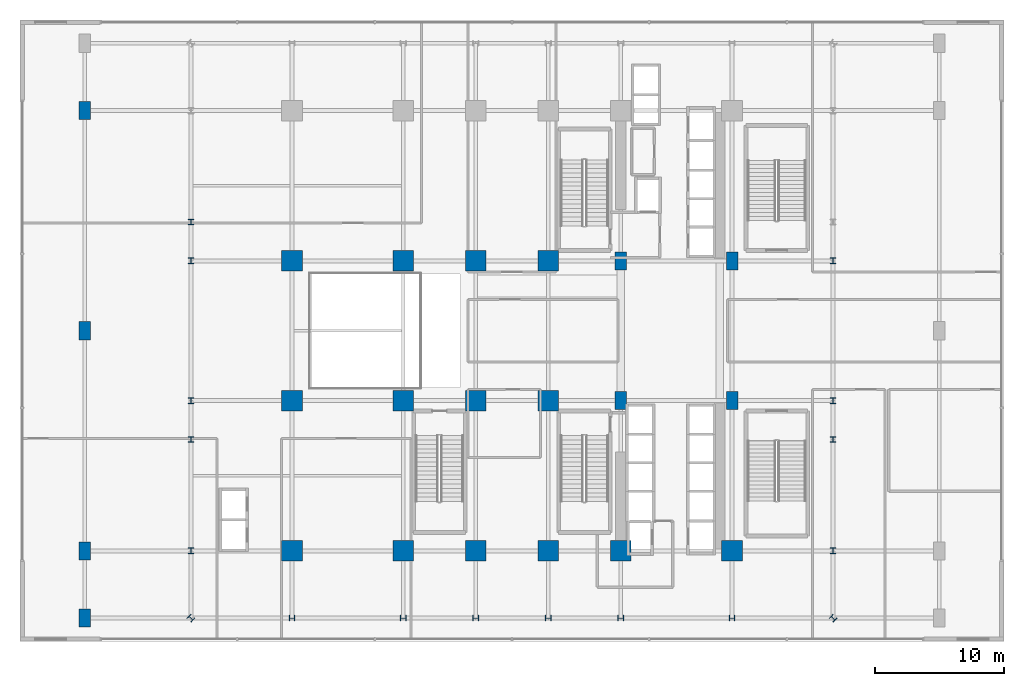
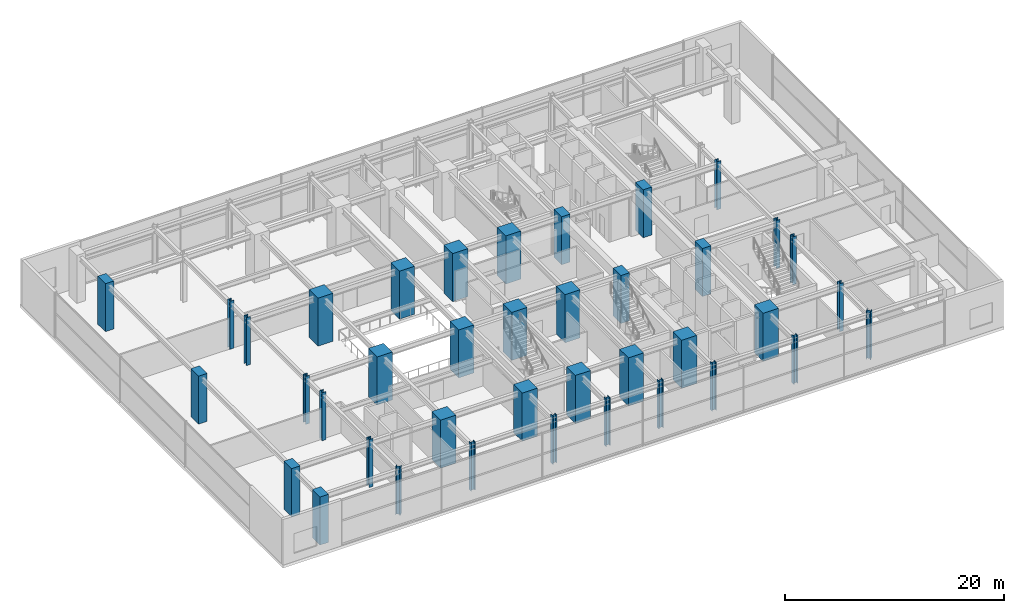
# One storey, part 1 of 32: 39 columns.
"""IFC4 building model written with IfcOpenShell, lengths in metres."""

from ifc_helpers import new_model, si_unit, direction, frame, origin, origin_2d, place, context, subcontext, project, spatial, rectangle, i_section, extrude, source, transform, mapped, material, material_profile, profile_set, type_object, element, save


model = new_model("IFC4")

# Units and contexts
model_context = context("Model", 3, precision=1e-05, world=origin(), true_north=direction((0.0, 1.0)))
body_context = subcontext(model_context, "Body", "Model", "MODEL_VIEW")
ifc_project = project(units=[si_unit("LENGTHUNIT", "METRE"), si_unit("AREAUNIT", "SQUARE_METRE"), si_unit("VOLUMEUNIT", "CUBIC_METRE"), si_unit("PLANEANGLEUNIT", "RADIAN"), si_unit("MASSUNIT", "GRAM", prefix="KILO")], contexts=[model_context])

# Site, building, storey
site_placement = place(None, origin())
site = spatial("IfcSite", under=ifc_project, at=site_placement, CompositionType="ELEMENT")
building_placement = place(site_placement, origin())
building = spatial("IfcBuilding", under=site, at=building_placement, Name="Nahalor Promenade Grand Hotel", CompositionType="ELEMENT")
storey_placement = place(building_placement, frame((0.0, 0.0, 5.39990234375)))
storey = spatial("IfcBuildingStorey", under=building, at=storey_placement, Name="L01", CompositionType="ELEMENT", Elevation=5.39990234375)

# Columns
ifc_material_1 = material(Name="Concrete B-70 (C60/75)", Category="concrete")
ifc_material_profile_1 = material_profile(ifc_material_1, rectangle(XDim=1.6, YDim=1.6, at=origin_2d()), Name="RC 1600x1600")
ifc_profile_set_1 = profile_set([ifc_material_profile_1], Name="Concrete B-70 (C60/75)")
column_type_1 = type_object("IfcColumnType", Name="Col-RC-1600", PredefinedType="COLUMN", material=ifc_profile_set_1)
shared_shape_1 = source(origin(), body_context, "Body", "SweptSolid", [
    extrude(rectangle(XDim=1.6, YDim=1.6, at=origin_2d()), origin(), (0.0, 0.0, 1.0), 5.35498046875),
])
for number, where, z_axis, x_axis, name in (
    (1, (-17.0, -17.0, 0.0), (0.0, 0.0, 1.0), (1.0, 0.0, 0.0), "COL-L01-I00"),
    (2, (-17.0, -5.39990234375, 0.0), (0.0, 0.0, 1.0), (1.0, 0.0, 0.0), "COL-L01-I01"),
    (3, (-17.0, 5.39990234375, 0.0), (0.0, 0.0, 1.0), (1.0, 0.0, 0.0), "COL-L01-I02"),
    (4, (-8.39990234375, -17.0, 0.0), (0.0, 0.0, 1.0), (1.0, 0.0, 0.0), "COL-L01-I10"),
    (5, (-8.39990234375, -5.39990234375, 0.0), (0.0, 0.0, 1.0), (1.0, 0.0, 0.0), "COL-L01-I11"),
    (6, (-8.39990234375, 5.39990234375, 0.0), (0.0, 0.0, 1.0), (1.0, 0.0, 0.0), "COL-L01-I12"),
    (7, (-2.800048828125, -17.0, 0.0), (0.0, 0.0, 1.0), (1.0, 0.0, 0.0), "COL-L01-I20"),
    (8, (-2.800048828125, -5.39990234375, 0.0), (0.0, 0.0, 1.0), (1.0, 0.0, 0.0), "COL-L01-I21"),
    (9, (-2.800048828125, 5.39990234375, 0.0), (0.0, 0.0, 1.0), (1.0, 0.0, 0.0), "COL-L01-I22"),
    (10, (2.800048828125, -17.0, 0.0), (0.0, 0.0, 1.0), (1.0, 0.0, 0.0), "COL-L01-I30"),
    (11, (2.800048828125, -5.39990234375, 0.0), (0.0, 0.0, 1.0), (1.0, 0.0, 0.0), "COL-L01-I31"),
    (12, (2.800048828125, 5.39990234375, 0.0), (0.0, 0.0, 1.0), (1.0, 0.0, 0.0), "COL-L01-I32"),
    (13, (8.39990234375, -17.0, 0.0), (0.0, 0.0, 1.0), (1.0, 0.0, 0.0), "COL-L01-I40"),
    (14, (17.0, -17.0, 0.0), (0.0, 0.0, 1.0), (1.0, 0.0, 0.0), "COL-L01-I50"),
):
    element("IfcColumn", number, at=place(storey_placement, frame(where, z_axis=z_axis, x_axis=x_axis)), inside=storey, type_object=column_type_1, Name=name, PredefinedType="COLUMN", context=body_context, shape_type="MappedRepresentation", body=[
        mapped(shared_shape_1, transform((0.0, 0.0, 0.0), scale=1.0)),
    ])
ifc_material_2 = material(Name="Concrete B-60 (C50/60)", Category="concrete")
ifc_material_profile_2 = material_profile(ifc_material_2, rectangle(XDim=0.9, YDim=1.4, at=origin_2d()), Name="RC 900x1400")
ifc_profile_set_2 = profile_set([ifc_material_profile_2], Name="Concrete B-60 (C50/60)")
column_type_2 = type_object("IfcColumnType", Name="Col-Pilaster-1400", PredefinedType="PILASTER", material=ifc_profile_set_2)
shared_shape_2 = source(origin(), body_context, "Body", "SweptSolid", [
    extrude(rectangle(XDim=0.9, YDim=1.4, at=origin_2d()), origin(), (0.0, 0.0, 1.0), 5.35498046875),
])
for number, where, z_axis, x_axis, name in (
    (15, (8.39990234375, -5.39990234375, 0.0), (0.0, 0.0, 1.0), (1.0, 0.0, 0.0), "COL-L01-I41"),
    (16, (8.39990234375, 5.39990234375, 0.0), (0.0, 0.0, 1.0), (1.0, 0.0, 0.0), "COL-L01-I42"),
    (17, (17.0, -5.39990234375, 0.0), (0.0, 0.0, 1.0), (1.0, 0.0, 0.0), "COL-L01-I51"),
    (18, (17.0, 5.39990234375, 0.0), (0.0, 0.0, 1.0), (1.0, 0.0, 0.0), "COL-L01-I52"),
    (19, (-33.0, -22.199951171875, 0.0), (0.0, 0.0, 1.0), (1.0, 0.0, 0.0), "COL-L01-PC-W0"),
    (20, (-33.0, -17.0, 0.0), (0.0, 0.0, 1.0), (1.0, 0.0, 0.0), "COL-L01-PC-W1"),
    (21, (-33.0, 0.0, 0.0), (0.0, 0.0, 1.0), (1.0, 0.0, 0.0), "COL-L01-PC-W2"),
    (22, (-33.0, 17.0, 0.0), (0.0, 0.0, 1.0), (1.0, 0.0, 0.0), "COL-L01-PC-W3"),
):
    element("IfcColumn", number, at=place(storey_placement, frame(where, z_axis=z_axis, x_axis=x_axis)), inside=storey, type_object=column_type_2, Name=name, PredefinedType="PILASTER", context=body_context, shape_type="MappedRepresentation", body=[
        mapped(shared_shape_2, transform((0.0, 0.0, 0.0), scale=1.0)),
    ])
ifc_material_3 = material(Name="Steel S355J2", Category="steel")
ifc_material_profile_3 = material_profile(ifc_material_3, i_section(OverallWidth=0.416, OverallDepth=0.446, WebThickness=0.025, FlangeThickness=0.04, at=origin_2d()), Name="HD 400x509")
ifc_profile_set_3 = profile_set([ifc_material_profile_3], Name="Steel S355J2")
column_type_3 = type_object("IfcColumnType", Name="Col-Steel-HD509", PredefinedType="COLUMN", material=ifc_profile_set_3)
shared_shape_3 = source(origin(), body_context, "Body", "SweptSolid", [
    extrude(i_section(OverallWidth=0.416, OverallDepth=0.446, WebThickness=0.025, FlangeThickness=0.04, at=origin_2d()), origin(), (0.0, 0.0, 1.0), 5.35498046875),
])
for number, where, z_axis, x_axis, name in (
    (23, (-24.800048828125, -17.0, 0.0), (0.0, 0.0, 1.0), (1.0, 0.0, 0.0), "COL-L01-PW-W0"),
    (24, (24.800048828125, -17.0, 0.0), (0.0, 0.0, 1.0), (1.0, 0.0, 0.0), "COL-L01-PW-E0"),
    (25, (-24.800048828125, -8.39990234375, 0.0), (0.0, 0.0, 1.0), (1.0, 0.0, 0.0), "COL-L01-PW-W1"),
    (26, (24.800048828125, -8.39990234375, 0.0), (0.0, 0.0, 1.0), (1.0, 0.0, 0.0), "COL-L01-PW-E1"),
    (27, (-24.800048828125, -5.39990234375, 0.0), (0.0, 0.0, 1.0), (1.0, 0.0, 0.0), "COL-L01-PW-W2"),
    (28, (24.800048828125, -5.39990234375, 0.0), (0.0, 0.0, 1.0), (1.0, 0.0, 0.0), "COL-L01-PW-E2"),
    (29, (-24.800048828125, 5.39990234375, 0.0), (0.0, 0.0, 1.0), (1.0, 0.0, 0.0), "COL-L01-PW-W3"),
    (30, (24.800048828125, 5.39990234375, 0.0), (0.0, 0.0, 1.0), (1.0, 0.0, 0.0), "COL-L01-PW-E3"),
    (31, (-24.800048828125, 8.39990234375, 0.0), (0.0, 0.0, 1.0), (1.0, 0.0, 0.0), "COL-L01-PW-W4"),
    (32, (-17.0, -22.199951171875, 0.0), (0.0, 0.0, 1.0), (0.0, 1.0, 0.0), "COL-L01-PN-S0"),
    (33, (-8.39990234375, -22.199951171875, 0.0), (0.0, 0.0, 1.0), (0.0, 1.0, 0.0), "COL-L01-PN-S1"),
    (34, (-2.800048828125, -22.199951171875, 0.0), (0.0, 0.0, 1.0), (0.0, 1.0, 0.0), "COL-L01-PN-S2"),
    (35, (2.800048828125, -22.199951171875, 0.0), (0.0, 0.0, 1.0), (0.0, 1.0, 0.0), "COL-L01-PN-S3"),
    (36, (8.39990234375, -22.199951171875, 0.0), (0.0, 0.0, 1.0), (0.0, 1.0, 0.0), "COL-L01-PN-S4"),
    (37, (17.0, -22.199951171875, 0.0), (0.0, 0.0, 1.0), (0.0, 1.0, 0.0), "COL-L01-PN-S5"),
    (38, (-24.800048828125, -22.199951171875, 0.0), (0.0, 0.0, 1.0), (0.707106781187, 0.707106781187, 0.0), "COL-L01-CRN-SW"),
    (39, (24.800048828125, -22.199951171875, 0.0), (0.0, 0.0, 1.0), (0.707106781187, 0.707106781187, 0.0), "COL-L01-CRN-SE"),
):
    element("IfcColumn", number, at=place(storey_placement, frame(where, z_axis=z_axis, x_axis=x_axis)), inside=storey, type_object=column_type_3, Name=name, PredefinedType="COLUMN", context=body_context, shape_type="MappedRepresentation", body=[
        mapped(shared_shape_3, transform((0.0, 0.0, 0.0), scale=1.0)),
    ])

save(model, "model.ifc")
